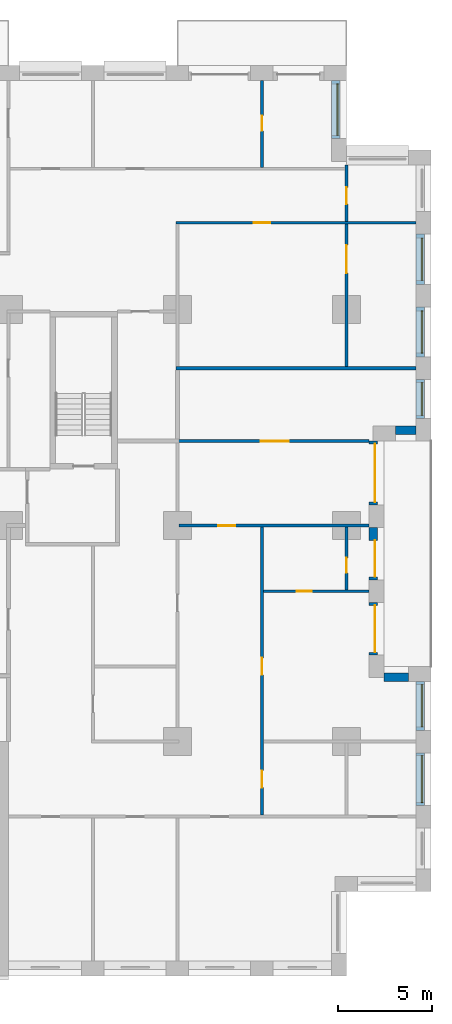
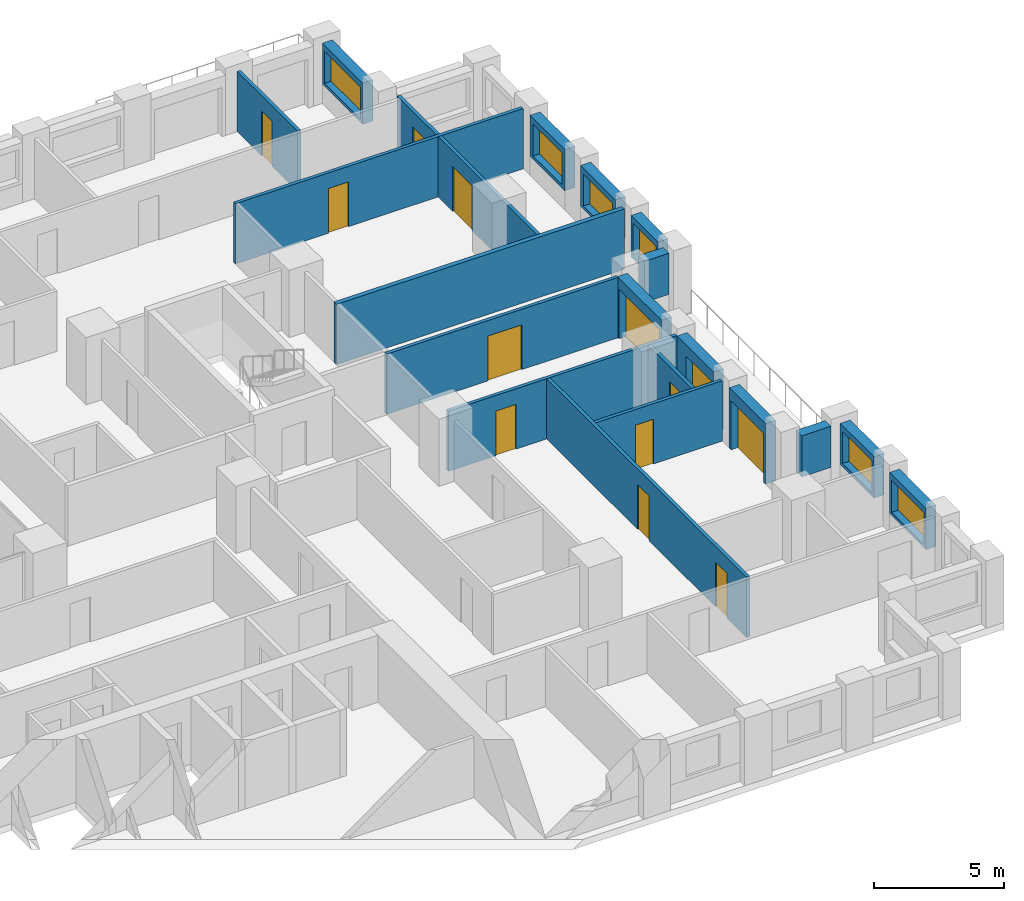
# One storey, part 17 of 20: 21 walls, 13 doors, 6 windows, 19 openings.
"""IFC4 building model written with IfcOpenShell, lengths in metres."""

from ifc_helpers import new_model, si_unit, direction, frame, frame_2d, origin, place, context, subcontext, project, spatial, rectangle, extrude, material, layer, layer_set, type_object, element, fill, save


model = new_model("IFC4")

# Units and contexts
model_context = context("Model", 3, precision=1e-05, world=origin(), true_north=direction((0.0, 1.0)))
body_context = subcontext(model_context, "Body", "Model", "MODEL_VIEW")
ifc_project = project(units=[si_unit("LENGTHUNIT", "METRE"), si_unit("AREAUNIT", "SQUARE_METRE"), si_unit("VOLUMEUNIT", "CUBIC_METRE"), si_unit("PLANEANGLEUNIT", "RADIAN"), si_unit("MASSUNIT", "GRAM", prefix="KILO")], contexts=[model_context])

# Site, building, storey
site_placement = place(None, origin())
site = spatial("IfcSite", under=ifc_project, at=site_placement, CompositionType="ELEMENT")
building_placement = place(site_placement, origin())
building = spatial("IfcBuilding", under=site, at=building_placement, Name="Brigalow Station Residences", CompositionType="ELEMENT")
storey_placement = place(building_placement, frame((0.0, 0.0, 54.14990234375)))
storey = spatial("IfcBuildingStorey", under=building, at=storey_placement, Name="L15", CompositionType="ELEMENT", Elevation=54.14990234375)

# Wall, opening, window
ifc_material_1 = material(Name="Clay brick masonry", Category="masonry")
ifc_layer_1 = layer(ifc_material_1, 0.449951171875)
ifc_layer_set_1 = layer_set([ifc_layer_1], Name="BRICK INFILL WALL 450")
wall_type_1 = type_object("IfcWallType", Name="BRICK INFILL WALL 450", PredefinedType="SOLIDWALL", material=ifc_layer_set_1)
wall_1_placement = place(storey_placement, frame((75.925048828125, 9.10009765625, 0.900146484375), z_axis=(0.0, 0.0, 1.0), x_axis=(0.0, 1.0, 0.0)))
wall_1 = element("IfcWall", 1, at=wall_1_placement, inside=storey, type_object=wall_type_1, Name="L15/ewall/W-L15-12", PredefinedType="SOLIDWALL", context=body_context, shape_type="SweptSolid", body=[
    extrude(rectangle(XDim=2.7998046875, YDim=0.449951171875, at=frame_2d((1.39990234375, 0.0))), origin(), (0.0, 0.0, 1.0), 1.929931640625),
])
opening_1_placement = place(wall_1_placement, frame((0.14990234375, 0.0, 0.14990234375)))
opening_1 = element("IfcOpeningElement", 2, at=opening_1_placement, cuts=wall_1, Name="Opening WT-5", PredefinedType="OPENING", context=body_context, shape_type="SweptSolid", body=[
    extrude(rectangle(XDim=2.5, YDim=1.5, at=frame_2d((1.25, 0.75))), frame((0.0, 0.23486328125, 0.0), z_axis=(0.0, -1.0, 0.0), x_axis=(1.0, 0.0, 0.0)), (0.0, 0.0, 1.0), 0.469970703125),
])
ifc_material_2 = material(Name="Anodised aluminium frame with double glazing", Category="aluminium")
window_type_1 = type_object("IfcWindowType", Name="WINDOW 2500x1500", PartitioningType="SINGLE_PANEL", PredefinedType="WINDOW", material=ifc_material_2)
window_1_placement = place(opening_1_placement, origin())
window_1 = element("IfcWindow", 3, at=window_1_placement, inside=storey, type_object=window_type_1, Name="L15/window/W-L15-12", OverallHeight=1.5, OverallWidth=2.5, PartitioningType="SINGLE_PANEL", PredefinedType="WINDOW", context=body_context, shape_type="SweptSolid", body=[
    extrude(rectangle(XDim=2.5, YDim=1.5, at=frame_2d((1.25, 0.75))), frame((0.0, -0.06494140625, 0.0), z_axis=(0.0, -1.0, 0.0), x_axis=(1.0, 0.0, 0.0)), (0.0, 0.0, 1.0), 0.06005859375),
])
fill(opening_1, window_1)

wall_2_placement = place(storey_placement, frame((75.925048828125, 13.10009765625, 0.900146484375), z_axis=(0.0, 0.0, 1.0), x_axis=(0.0, 1.0, 0.0)))
wall_2 = element("IfcWall", 4, at=wall_2_placement, inside=storey, type_object=wall_type_1, Name="L15/ewall/W-L15-13", PredefinedType="SOLIDWALL", context=body_context, shape_type="SweptSolid", body=[
    extrude(rectangle(XDim=2.599853515625, YDim=0.449951171875, at=frame_2d((1.2998046875, 0.0))), origin(), (0.0, 0.0, 1.0), 1.929931640625),
])
opening_2_placement = place(wall_2_placement, frame((0.175048828125, 0.0, 0.14990234375)))
opening_2 = element("IfcOpeningElement", 5, at=opening_2_placement, cuts=wall_2, Name="Opening WT-6", PredefinedType="OPENING", context=body_context, shape_type="SweptSolid", body=[
    extrude(rectangle(XDim=2.25, YDim=1.5, at=frame_2d((1.125, 0.75))), frame((0.0, 0.23486328125, 0.0), z_axis=(0.0, -1.0, 0.0), x_axis=(1.0, 0.0, 0.0)), (0.0, 0.0, 1.0), 0.469970703125),
])
ifc_material_3 = material(Name="Anodised aluminium frame with double glazing", Category="aluminium")
window_type_2 = type_object("IfcWindowType", Name="WINDOW 2250x1500", PartitioningType="SINGLE_PANEL", PredefinedType="WINDOW", material=ifc_material_3)
window_2_placement = place(opening_2_placement, origin())
window_2 = element("IfcWindow", 6, at=window_2_placement, inside=storey, type_object=window_type_2, Name="L15/window/W-L15-13", OverallHeight=1.5, OverallWidth=2.25, PartitioningType="SINGLE_PANEL", PredefinedType="WINDOW", context=body_context, shape_type="SweptSolid", body=[
    extrude(rectangle(XDim=2.25, YDim=1.5, at=frame_2d((1.125, 0.75))), frame((0.0, -0.06494140625, 0.0), z_axis=(0.0, -1.0, 0.0), x_axis=(1.0, 0.0, 0.0)), (0.0, 0.0, 1.0), 0.06005859375),
])
fill(opening_2, window_2)

# Wall
wall_3_placement = place(storey_placement, frame((75.300048828125, 15.925048828125, 0.900146484375), z_axis=(0.0, 0.0, 1.0), x_axis=(-1.0, 0.0, 0.0)))
element("IfcWall", 7, at=wall_3_placement, inside=storey, type_object=wall_type_1, Name="L15/ewall/W-L15-14", PredefinedType="SOLIDWALL", context=body_context, shape_type="SweptSolid", body=[
    extrude(rectangle(XDim=1.300048828125, YDim=0.449951171875, at=frame_2d((0.64990234375, 0.0))), origin(), (0.0, 0.0, 1.0), 1.929931640625),
])

# Wall, opening, door
wall_4_placement = place(storey_placement, frame((73.425048828125, 17.10009765625, 0.0), z_axis=(0.0, 0.0, 1.0), x_axis=(0.0, 1.0, 0.0)))
wall_4 = element("IfcWall", 8, at=wall_4_placement, inside=storey, type_object=wall_type_1, Name="L15/ewall/W-L15-15", PredefinedType="SOLIDWALL", context=body_context, shape_type="SweptSolid", body=[
    extrude(rectangle(XDim=2.7998046875, YDim=0.449951171875, at=frame_2d((1.39990234375, 0.0))), origin(), (0.0, 0.0, 1.0), 2.830078125),
])
opening_3_placement = place(wall_4_placement, frame((0.14990234375, 0.0, 0.0)))
opening_3 = element("IfcOpeningElement", 9, at=opening_3_placement, cuts=wall_4, Name="Opening D-B2500", PredefinedType="OPENING", context=body_context, shape_type="SweptSolid", body=[
    extrude(rectangle(XDim=2.5, YDim=2.300048828125, at=frame_2d((1.25, 1.14990234375))), frame((0.0, 0.23486328125, 0.0), z_axis=(0.0, -1.0, 0.0), x_axis=(1.0, 0.0, 0.0)), (0.0, 0.0, 1.0), 0.469970703125),
])
ifc_material_4 = material(Name="Anodised aluminium frame with double glazing", Category="aluminium")
door_type_1 = type_object("IfcDoorType", Name="BALCONY SLIDING DOOR 2500x2300", OperationType="SLIDING_TO_LEFT", PredefinedType="DOOR", material=ifc_material_4)
door_1_placement = place(opening_3_placement, origin())
door_1 = element("IfcDoor", 10, at=door_1_placement, inside=storey, type_object=door_type_1, Name="L15/balcony-door/W-L15-15", OperationType="SLIDING_TO_LEFT", OverallHeight=2.300048828125, OverallWidth=2.5, PredefinedType="DOOR", context=body_context, shape_type="SweptSolid", body=[
    extrude(rectangle(XDim=2.5, YDim=2.300048828125, at=frame_2d((1.25, 1.14990234375))), frame((0.0, -0.06982421875, 0.0), z_axis=(0.0, -1.0, 0.0), x_axis=(1.0, 0.0, 0.0)), (0.0, 0.0, 1.0), 0.050048828125),
])
fill(opening_3, door_1)

wall_5_placement = place(storey_placement, frame((73.425048828125, 21.10009765625, 0.0), z_axis=(0.0, 0.0, 1.0), x_axis=(0.0, 1.0, 0.0)))
wall_5 = element("IfcWall", 11, at=wall_5_placement, inside=storey, type_object=wall_type_1, Name="L15/ewall/W-L15-16", PredefinedType="SOLIDWALL", context=body_context, shape_type="SweptSolid", body=[
    extrude(rectangle(XDim=2.7998046875, YDim=0.449951171875, at=frame_2d((1.39990234375, 0.0))), origin(), (0.0, 0.0, 1.0), 2.830078125),
])
opening_4_placement = place(wall_5_placement, frame((0.1650390625, 0.0, 0.0)))
opening_4 = element("IfcOpeningElement", 12, at=opening_4_placement, cuts=wall_5, Name="Opening D-B1950", PredefinedType="OPENING", context=body_context, shape_type="SweptSolid", body=[
    extrude(rectangle(XDim=1.949951171875, YDim=2.300048828125, at=frame_2d((0.97509765625, 1.14990234375))), frame((0.0, 0.23486328125, 0.0), z_axis=(0.0, -1.0, 0.0), x_axis=(1.0, 0.0, 0.0)), (0.0, 0.0, 1.0), 0.469970703125),
])
ifc_material_5 = material(Name="Anodised aluminium frame with double glazing", Category="aluminium")
door_type_2 = type_object("IfcDoorType", Name="BALCONY SLIDING DOOR 1950x2300", OperationType="SLIDING_TO_LEFT", PredefinedType="DOOR", material=ifc_material_5)
door_2_placement = place(opening_4_placement, origin())
door_2 = element("IfcDoor", 13, at=door_2_placement, inside=storey, type_object=door_type_2, Name="L15/balcony-door/W-L15-16", OperationType="SLIDING_TO_LEFT", OverallHeight=2.300048828125, OverallWidth=1.949951171875, PredefinedType="DOOR", context=body_context, shape_type="SweptSolid", body=[
    extrude(rectangle(XDim=1.949951171875, YDim=2.300048828125, at=frame_2d((0.97509765625, 1.14990234375))), frame((0.0, -0.06982421875, 0.0), z_axis=(0.0, -1.0, 0.0), x_axis=(1.0, 0.0, 0.0)), (0.0, 0.0, 1.0), 0.050048828125),
])
fill(opening_4, door_2)

wall_6_placement = place(storey_placement, frame((73.425048828125, 25.10009765625, 0.0), z_axis=(0.0, 0.0, 1.0), x_axis=(0.0, 1.0, 0.0)))
wall_6 = element("IfcWall", 14, at=wall_6_placement, inside=storey, type_object=wall_type_1, Name="L15/ewall/W-L15-17", PredefinedType="SOLIDWALL", context=body_context, shape_type="SweptSolid", body=[
    extrude(rectangle(XDim=3.39990234375, YDim=0.449951171875, at=frame_2d((1.699951171875, 0.0))), origin(), (0.0, 0.0, 1.0), 2.830078125),
])
opening_5_placement = place(wall_6_placement, frame((0.14990234375, 0.0, 0.0)))
opening_5 = element("IfcOpeningElement", 15, at=opening_5_placement, cuts=wall_6, Name="Opening D-B3100", PredefinedType="OPENING", context=body_context, shape_type="SweptSolid", body=[
    extrude(rectangle(XDim=3.10009765625, YDim=2.300048828125, at=frame_2d((1.550048828125, 1.14990234375))), frame((0.0, 0.23486328125, 0.0), z_axis=(0.0, -1.0, 0.0), x_axis=(1.0, 0.0, 0.0)), (0.0, 0.0, 1.0), 0.469970703125),
])
ifc_material_6 = material(Name="Anodised aluminium frame with double glazing", Category="aluminium")
door_type_3 = type_object("IfcDoorType", Name="BALCONY SLIDING DOOR 3100x2300", OperationType="SLIDING_TO_LEFT", PredefinedType="DOOR", material=ifc_material_6)
door_3_placement = place(opening_5_placement, origin())
door_3 = element("IfcDoor", 16, at=door_3_placement, inside=storey, type_object=door_type_3, Name="L15/balcony-door/W-L15-17", OperationType="SLIDING_TO_LEFT", OverallHeight=2.300048828125, OverallWidth=3.10009765625, PredefinedType="DOOR", context=body_context, shape_type="SweptSolid", body=[
    extrude(rectangle(XDim=3.10009765625, YDim=2.300048828125, at=frame_2d((1.550048828125, 1.14990234375))), frame((0.0, -0.06982421875, 0.0), z_axis=(0.0, -1.0, 0.0), x_axis=(1.0, 0.0, 0.0)), (0.0, 0.0, 1.0), 0.050048828125),
])
fill(opening_5, door_3)

# Wall
wall_7_placement = place(storey_placement, frame((74.60009765625, 29.074951171875, 0.900146484375), z_axis=(0.0, 0.0, 1.0), x_axis=(1.0, 0.0, 0.0)))
element("IfcWall", 17, at=wall_7_placement, inside=storey, type_object=wall_type_1, Name="L15/ewall/W-L15-18", PredefinedType="SOLIDWALL", context=body_context, shape_type="SweptSolid", body=[
    extrude(rectangle(XDim=1.099853515625, YDim=0.449951171875, at=frame_2d((0.5498046875, 0.0))), origin(), (0.0, 0.0, 1.0), 1.929931640625),
])

# Wall, opening, window
wall_8_placement = place(storey_placement, frame((75.925048828125, 29.699951171875, 0.900146484375), z_axis=(0.0, 0.0, 1.0), x_axis=(0.0, 1.0, 0.0)))
wall_8 = element("IfcWall", 18, at=wall_8_placement, inside=storey, type_object=wall_type_1, Name="L15/ewall/W-L15-19", PredefinedType="SOLIDWALL", context=body_context, shape_type="SweptSolid", body=[
    extrude(rectangle(XDim=2.074951171875, YDim=0.449951171875, at=frame_2d((1.03759765625, 0.0))), origin(), (0.0, 0.0, 1.0), 1.929931640625),
])
opening_6_placement = place(wall_8_placement, frame((0.16259765625, 0.0, 0.14990234375)))
opening_6 = element("IfcOpeningElement", 19, at=opening_6_placement, cuts=wall_8, Name="Opening WT-4", PredefinedType="OPENING", context=body_context, shape_type="SweptSolid", body=[
    extrude(rectangle(XDim=1.75, YDim=1.5, at=frame_2d((0.875, 0.75))), frame((0.0, 0.23486328125, 0.0), z_axis=(0.0, -1.0, 0.0), x_axis=(1.0, 0.0, 0.0)), (0.0, 0.0, 1.0), 0.469970703125),
])
ifc_material_7 = material(Name="Anodised aluminium frame with double glazing", Category="aluminium")
window_type_3 = type_object("IfcWindowType", Name="WINDOW 1750x1500", PartitioningType="SINGLE_PANEL", PredefinedType="WINDOW", material=ifc_material_7)
window_3_placement = place(opening_6_placement, origin())
window_3 = element("IfcWindow", 20, at=window_3_placement, inside=storey, type_object=window_type_3, Name="L15/window/W-L15-19", OverallHeight=1.5, OverallWidth=1.75, PartitioningType="SINGLE_PANEL", PredefinedType="WINDOW", context=body_context, shape_type="SweptSolid", body=[
    extrude(rectangle(XDim=1.75, YDim=1.5, at=frame_2d((0.875, 0.75))), frame((0.0, -0.06494140625, 0.0), z_axis=(0.0, -1.0, 0.0), x_axis=(1.0, 0.0, 0.0)), (0.0, 0.0, 1.0), 0.06005859375),
])
fill(opening_6, window_3)

wall_9_placement = place(storey_placement, frame((75.925048828125, 32.97509765625, 0.900146484375), z_axis=(0.0, 0.0, 1.0), x_axis=(0.0, 1.0, 0.0)))
wall_9 = element("IfcWall", 21, at=wall_9_placement, inside=storey, type_object=wall_type_1, Name="L15/ewall/W-L15-20", PredefinedType="SOLIDWALL", context=body_context, shape_type="SweptSolid", body=[
    extrude(rectangle(XDim=2.6748046875, YDim=0.449951171875, at=frame_2d((1.33740234375, 0.0))), origin(), (0.0, 0.0, 1.0), 1.929931640625),
])
opening_7_placement = place(wall_9_placement, frame((0.21240234375, 0.0, 0.14990234375)))
opening_7 = element("IfcOpeningElement", 22, at=opening_7_placement, cuts=wall_9, Name="Opening WT-6", PredefinedType="OPENING", context=body_context, shape_type="SweptSolid", body=[
    extrude(rectangle(XDim=2.25, YDim=1.5, at=frame_2d((1.125, 0.75))), frame((0.0, 0.23486328125, 0.0), z_axis=(0.0, -1.0, 0.0), x_axis=(1.0, 0.0, 0.0)), (0.0, 0.0, 1.0), 0.469970703125),
])
window_4_placement = place(opening_7_placement, origin())
window_4 = element("IfcWindow", 23, at=window_4_placement, inside=storey, type_object=window_type_2, Name="L15/window/W-L15-20", OverallHeight=1.5, OverallWidth=2.25, PartitioningType="SINGLE_PANEL", PredefinedType="WINDOW", context=body_context, shape_type="SweptSolid", body=[
    extrude(rectangle(XDim=2.25, YDim=1.5, at=frame_2d((1.125, 0.75))), frame((0.0, -0.06494140625, 0.0), z_axis=(0.0, -1.0, 0.0), x_axis=(1.0, 0.0, 0.0)), (0.0, 0.0, 1.0), 0.06005859375),
])
fill(opening_7, window_4)

wall_10_placement = place(storey_placement, frame((75.925048828125, 36.85009765625, 0.900146484375), z_axis=(0.0, 0.0, 1.0), x_axis=(0.0, 1.0, 0.0)))
wall_10 = element("IfcWall", 24, at=wall_10_placement, inside=storey, type_object=wall_type_1, Name="L15/ewall/W-L15-21", PredefinedType="SOLIDWALL", context=body_context, shape_type="SweptSolid", body=[
    extrude(rectangle(XDim=2.6748046875, YDim=0.449951171875, at=frame_2d((1.33740234375, 0.0))), origin(), (0.0, 0.0, 1.0), 1.929931640625),
])
opening_8_placement = place(wall_10_placement, frame((0.21240234375, 0.0, 0.14990234375)))
opening_8 = element("IfcOpeningElement", 25, at=opening_8_placement, cuts=wall_10, Name="Opening WT-6", PredefinedType="OPENING", context=body_context, shape_type="SweptSolid", body=[
    extrude(rectangle(XDim=2.25, YDim=1.5, at=frame_2d((1.125, 0.75))), frame((0.0, 0.23486328125, 0.0), z_axis=(0.0, -1.0, 0.0), x_axis=(1.0, 0.0, 0.0)), (0.0, 0.0, 1.0), 0.469970703125),
])
window_5_placement = place(opening_8_placement, origin())
window_5 = element("IfcWindow", 26, at=window_5_placement, inside=storey, type_object=window_type_2, Name="L15/window/W-L15-21", OverallHeight=1.5, OverallWidth=2.25, PartitioningType="SINGLE_PANEL", PredefinedType="WINDOW", context=body_context, shape_type="SweptSolid", body=[
    extrude(rectangle(XDim=2.25, YDim=1.5, at=frame_2d((1.125, 0.75))), frame((0.0, -0.06494140625, 0.0), z_axis=(0.0, -1.0, 0.0), x_axis=(1.0, 0.0, 0.0)), (0.0, 0.0, 1.0), 0.06005859375),
])
fill(opening_8, window_5)

wall_11_placement = place(storey_placement, frame((71.425048828125, 44.60009765625, 0.900146484375), z_axis=(0.0, 0.0, 1.0), x_axis=(0.0, 1.0, 0.0)))
wall_11 = element("IfcWall", 27, at=wall_11_placement, inside=storey, type_object=wall_type_1, Name="L15/ewall/W-L15-24", PredefinedType="SOLIDWALL", context=body_context, shape_type="SweptSolid", body=[
    extrude(rectangle(XDim=3.099853515625, YDim=0.449951171875, at=frame_2d((1.5498046875, 0.0))), origin(), (0.0, 0.0, 1.0), 1.929931640625),
])
opening_9_placement = place(wall_11_placement, frame((0.175048828125, 0.0, 0.14990234375)))
opening_9 = element("IfcOpeningElement", 28, at=opening_9_placement, cuts=wall_11, Name="Opening WT-3", PredefinedType="OPENING", context=body_context, shape_type="SweptSolid", body=[
    extrude(rectangle(XDim=2.75, YDim=1.5, at=frame_2d((1.375, 0.75))), frame((0.0, 0.23486328125, 0.0), z_axis=(0.0, -1.0, 0.0), x_axis=(1.0, 0.0, 0.0)), (0.0, 0.0, 1.0), 0.469970703125),
])
ifc_material_8 = material(Name="Anodised aluminium frame with double glazing", Category="aluminium")
window_type_4 = type_object("IfcWindowType", Name="WINDOW 2750x1500", PartitioningType="SINGLE_PANEL", PredefinedType="WINDOW", material=ifc_material_8)
window_6_placement = place(opening_9_placement, origin())
window_6 = element("IfcWindow", 29, at=window_6_placement, inside=storey, type_object=window_type_4, Name="L15/window/W-L15-24", OverallHeight=1.5, OverallWidth=2.75, PartitioningType="SINGLE_PANEL", PredefinedType="WINDOW", context=body_context, shape_type="SweptSolid", body=[
    extrude(rectangle(XDim=2.75, YDim=1.5, at=frame_2d((1.375, 0.75))), frame((0.0, -0.06494140625, 0.0), z_axis=(0.0, -1.0, 0.0), x_axis=(1.0, 0.0, 0.0)), (0.0, 0.0, 1.0), 0.06005859375),
])
fill(opening_9, window_6)

# Wall, opening, door
ifc_material_9 = material(Name="Plasterboard on steel stud partition", Category="steel")
ifc_layer_2 = layer(ifc_material_9, 0.14990234375)
ifc_layer_set_2 = layer_set([ifc_layer_2], Name="FLAT PARTITION 150")
wall_type_2 = type_object("IfcWallType", Name="FLAT PARTITION 150", PredefinedType="PARTITIONING", material=ifc_layer_set_2)
wall_12_placement = place(storey_placement, frame((63.074951171875, 24.0, 0.0), z_axis=(0.0, 0.0, 1.0), x_axis=(1.0, 0.0, 0.0)))
wall_12 = element("IfcWall", 30, at=wall_12_placement, inside=storey, type_object=wall_type_2, Name="PW-1E03", PredefinedType="PARTITIONING", context=body_context, shape_type="SweptSolid", body=[
    extrude(rectangle(XDim=10.125, YDim=0.14990234375, at=frame_2d((5.0625, 0.0))), origin(), (0.0, 0.0, 1.0), 2.830078125),
])
opening_10_placement = place(wall_12_placement, frame((2.10009765625, 0.0, 0.0)))
opening_10 = element("IfcOpeningElement", 31, at=opening_10_placement, cuts=wall_12, Name="Opening D-1E54", PredefinedType="OPENING", context=body_context, shape_type="SweptSolid", body=[
    extrude(rectangle(XDim=0.89990234375, YDim=2.10009765625, at=frame_2d((0.449951171875, 1.050048828125))), frame((0.0, 0.0849609375, 0.0), z_axis=(0.0, -1.0, 0.0), x_axis=(1.0, 0.0, 0.0)), (0.0, 0.0, 1.0), 0.169921875),
])
ifc_material_10 = material(Name="Solid-core timber door leaf", Category="wood")
door_type_4 = type_object("IfcDoorType", Name="INTERNAL DOOR 900 x 2100", OperationType="SINGLE_SWING_LEFT", PredefinedType="DOOR", material=ifc_material_10)
door_4_placement = place(opening_10_placement, origin())
door_4 = element("IfcDoor", 32, at=door_4_placement, inside=storey, type_object=door_type_4, Name="D-1E54", OperationType="SINGLE_SWING_LEFT", OverallHeight=2.10009765625, OverallWidth=0.89990234375, PredefinedType="DOOR", context=body_context, shape_type="SweptSolid", body=[
    extrude(rectangle(XDim=0.89990234375, YDim=2.10009765625, at=frame_2d((0.449951171875, 1.050048828125))), frame((0.0, 0.02490234375, 0.0), z_axis=(0.0, -1.0, 0.0), x_axis=(1.0, 0.0, 0.0)), (0.0, 0.0, 1.0), 0.050048828125),
])
fill(opening_10, door_4)

wall_13_placement = place(storey_placement, frame((67.574951171875, 20.5, 0.0), z_axis=(0.0, 0.0, 1.0), x_axis=(1.0, 0.0, 0.0)))
wall_13 = element("IfcWall", 33, at=wall_13_placement, inside=storey, type_object=wall_type_2, Name="PW-1E17", PredefinedType="PARTITIONING", context=body_context, shape_type="SweptSolid", body=[
    extrude(rectangle(XDim=5.625, YDim=0.14990234375, at=frame_2d((2.8125, 0.0))), origin(), (0.0, 0.0, 1.0), 2.830078125),
])
opening_11_placement = place(wall_13_placement, frame((1.77490234375, 0.0, 0.0)))
opening_11 = element("IfcOpeningElement", 34, at=opening_11_placement, cuts=wall_13, Name="Opening D-1E55", PredefinedType="OPENING", context=body_context, shape_type="SweptSolid", body=[
    extrude(rectangle(XDim=0.800048828125, YDim=2.10009765625, at=frame_2d((0.39990234375, 1.050048828125))), frame((0.0, 0.0849609375, 0.0), z_axis=(0.0, -1.0, 0.0), x_axis=(1.0, 0.0, 0.0)), (0.0, 0.0, 1.0), 0.169921875),
])
ifc_material_11 = material(Name="Solid-core timber door leaf", Category="wood")
door_type_5 = type_object("IfcDoorType", Name="INTERNAL DOOR 800 x 2100", OperationType="SINGLE_SWING_LEFT", PredefinedType="DOOR", material=ifc_material_11)
door_5_placement = place(opening_11_placement, origin())
door_5 = element("IfcDoor", 35, at=door_5_placement, inside=storey, type_object=door_type_5, Name="D-1E55", OperationType="SINGLE_SWING_RIGHT", OverallHeight=2.10009765625, OverallWidth=0.800048828125, PredefinedType="DOOR", context=body_context, shape_type="SweptSolid", body=[
    extrude(rectangle(XDim=0.800048828125, YDim=2.10009765625, at=frame_2d((0.39990234375, 1.050048828125))), frame((0.0, 0.02490234375, 0.0), z_axis=(0.0, -1.0, 0.0), x_axis=(1.0, 0.0, 0.0)), (0.0, 0.0, 1.0), 0.050048828125),
])
fill(opening_11, door_5)

wall_14_placement = place(storey_placement, frame((62.925048828125, 28.5, 0.0), z_axis=(0.0, 0.0, 1.0), x_axis=(1.0, 0.0, 0.0)))
wall_14 = element("IfcWall", 36, at=wall_14_placement, inside=storey, type_object=wall_type_2, Name="PW-1E23", PredefinedType="PARTITIONING", context=body_context, shape_type="SweptSolid", body=[
    extrude(rectangle(XDim=10.27490234375, YDim=0.14990234375, at=frame_2d((5.137451171875, 0.0))), origin(), (0.0, 0.0, 1.0), 2.830078125),
])
opening_12_placement = place(wall_14_placement, frame((4.5, 0.0, 0.0)))
opening_12 = element("IfcOpeningElement", 37, at=opening_12_placement, cuts=wall_14, Name="Opening D-1E53", PredefinedType="OPENING", context=body_context, shape_type="SweptSolid", body=[
    extrude(rectangle(XDim=1.5, YDim=2.10009765625, at=frame_2d((0.75, 1.050048828125))), frame((0.0, 0.0849609375, 0.0), z_axis=(0.0, -1.0, 0.0), x_axis=(1.0, 0.0, 0.0)), (0.0, 0.0, 1.0), 0.169921875),
])
ifc_material_12 = material(Name="Solid-core timber door leaf", Category="wood")
door_type_6 = type_object("IfcDoorType", Name="INTERNAL DOUBLE DOOR 1500 x 2100", OperationType="DOUBLE_DOOR_SINGLE_SWING", PredefinedType="DOOR", material=ifc_material_12)
door_6_placement = place(opening_12_placement, frame((1.5, 0.0, 0.0), z_axis=(0.0, 0.0, 1.0), x_axis=(-1.0, 0.0, 0.0)))
door_6 = element("IfcDoor", 38, at=door_6_placement, inside=storey, type_object=door_type_6, Name="D-1E53", OperationType="DOUBLE_DOOR_SINGLE_SWING", OverallHeight=2.10009765625, OverallWidth=1.5, PredefinedType="DOOR", context=body_context, shape_type="SweptSolid", body=[
    extrude(rectangle(XDim=1.5, YDim=2.10009765625, at=frame_2d((0.75, 1.050048828125))), frame((0.0, 0.02490234375, 0.0), z_axis=(0.0, -1.0, 0.0), x_axis=(1.0, 0.0, 0.0)), (0.0, 0.0, 1.0), 0.050048828125),
])
fill(opening_12, door_6)

wall_15_placement = place(storey_placement, frame((62.925048828125, 40.125, 0.0), z_axis=(0.0, 0.0, 1.0), x_axis=(1.0, 0.0, 0.0)))
wall_15 = element("IfcWall", 39, at=wall_15_placement, inside=storey, type_object=wall_type_2, Name="PW-1E25", PredefinedType="PARTITIONING", context=body_context, shape_type="SweptSolid", body=[
    extrude(rectangle(XDim=12.77490234375, YDim=0.14990234375, at=frame_2d((6.387451171875, 0.0))), origin(), (0.0, 0.0, 1.0), 2.830078125),
])
opening_13_placement = place(wall_15_placement, frame((4.125, 0.0, 0.0)))
opening_13 = element("IfcOpeningElement", 40, at=opening_13_placement, cuts=wall_15, Name="Opening D-1E41", PredefinedType="OPENING", context=body_context, shape_type="SweptSolid", body=[
    extrude(rectangle(XDim=0.89990234375, YDim=2.10009765625, at=frame_2d((0.449951171875, 1.050048828125))), frame((0.0, 0.0849609375, 0.0), z_axis=(0.0, -1.0, 0.0), x_axis=(1.0, 0.0, 0.0)), (0.0, 0.0, 1.0), 0.169921875),
])
door_7_placement = place(opening_13_placement, frame((0.89990234375, 0.0, 0.0), z_axis=(0.0, 0.0, 1.0), x_axis=(-1.0, 0.0, 0.0)))
door_7 = element("IfcDoor", 41, at=door_7_placement, inside=storey, type_object=door_type_4, Name="D-1E41", OperationType="SINGLE_SWING_RIGHT", OverallHeight=2.10009765625, OverallWidth=0.89990234375, PredefinedType="DOOR", context=body_context, shape_type="SweptSolid", body=[
    extrude(rectangle(XDim=0.89990234375, YDim=2.10009765625, at=frame_2d((0.449951171875, 1.050048828125))), frame((0.0, 0.02490234375, 0.0), z_axis=(0.0, -1.0, 0.0), x_axis=(1.0, 0.0, 0.0)), (0.0, 0.0, 1.0), 0.050048828125),
])
fill(opening_13, door_7)

wall_16_placement = place(storey_placement, frame((72.0, 20.574951171875, 0.0), z_axis=(0.0, 0.0, 1.0), x_axis=(0.0, 1.0, 0.0)))
wall_16 = element("IfcWall", 42, at=wall_16_placement, inside=storey, type_object=wall_type_2, Name="PW-1E73", PredefinedType="PARTITIONING", context=body_context, shape_type="SweptSolid", body=[
    extrude(rectangle(XDim=3.35009765625, YDim=0.14990234375, at=frame_2d((1.675048828125, 0.0))), origin(), (0.0, 0.0, 1.0), 2.830078125),
])
opening_14_placement = place(wall_16_placement, frame((0.89990234375, 0.0, 0.0)))
opening_14 = element("IfcOpeningElement", 43, at=opening_14_placement, cuts=wall_16, Name="Opening D-1E56", PredefinedType="OPENING", context=body_context, shape_type="SweptSolid", body=[
    extrude(rectangle(XDim=0.800048828125, YDim=2.10009765625, at=frame_2d((0.39990234375, 1.050048828125))), frame((0.0, 0.0849609375, 0.0), z_axis=(0.0, -1.0, 0.0), x_axis=(1.0, 0.0, 0.0)), (0.0, 0.0, 1.0), 0.169921875),
])
door_8_placement = place(opening_14_placement, frame((0.800048828125, 0.0, 0.0), z_axis=(0.0, 0.0, 1.0), x_axis=(-1.0, 0.0, 0.0)))
door_8 = element("IfcDoor", 44, at=door_8_placement, inside=storey, type_object=door_type_5, Name="D-1E56", OperationType="SINGLE_SWING_RIGHT", OverallHeight=2.10009765625, OverallWidth=0.800048828125, PredefinedType="DOOR", context=body_context, shape_type="SweptSolid", body=[
    extrude(rectangle(XDim=0.800048828125, YDim=2.10009765625, at=frame_2d((0.39990234375, 1.050048828125))), frame((0.0, 0.02490234375, 0.0), z_axis=(0.0, -1.0, 0.0), x_axis=(1.0, 0.0, 0.0)), (0.0, 0.0, 1.0), 0.050048828125),
])
fill(opening_14, door_8)

wall_17_placement = place(storey_placement, frame((72.0, 32.47509765625, 0.0), z_axis=(0.0, 0.0, 1.0), x_axis=(0.0, 1.0, 0.0)))
wall_17 = element("IfcWall", 45, at=wall_17_placement, inside=storey, type_object=wall_type_2, Name="PW-1E74", PredefinedType="PARTITIONING", context=body_context, shape_type="SweptSolid", body=[
    extrude(rectangle(XDim=7.574951171875, YDim=0.14990234375, at=frame_2d((3.78759765625, 0.0))), origin(), (0.0, 0.0, 1.0), 2.830078125),
])
opening_15_placement = place(wall_17_placement, frame((4.962890625, 0.0, 0.0)))
opening_15 = element("IfcOpeningElement", 46, at=opening_15_placement, cuts=wall_17, Name="Opening D-1E49", PredefinedType="OPENING", context=body_context, shape_type="SweptSolid", body=[
    extrude(rectangle(XDim=1.5, YDim=2.10009765625, at=frame_2d((0.75, 1.050048828125))), frame((0.0, 0.0849609375, 0.0), z_axis=(0.0, -1.0, 0.0), x_axis=(1.0, 0.0, 0.0)), (0.0, 0.0, 1.0), 0.169921875),
])
door_9_placement = place(opening_15_placement, frame((1.5, 0.0, 0.0), z_axis=(0.0, 0.0, 1.0), x_axis=(-1.0, 0.0, 0.0)))
door_9 = element("IfcDoor", 47, at=door_9_placement, inside=storey, type_object=door_type_6, Name="D-1E49", OperationType="DOUBLE_DOOR_SINGLE_SWING", OverallHeight=2.10009765625, OverallWidth=1.5, PredefinedType="DOOR", context=body_context, shape_type="SweptSolid", body=[
    extrude(rectangle(XDim=1.5, YDim=2.10009765625, at=frame_2d((0.75, 1.050048828125))), frame((0.0, 0.02490234375, 0.0), z_axis=(0.0, -1.0, 0.0), x_axis=(1.0, 0.0, 0.0)), (0.0, 0.0, 1.0), 0.050048828125),
])
fill(opening_15, door_9)

wall_18_placement = place(storey_placement, frame((72.0, 40.199951171875, 0.0), z_axis=(0.0, 0.0, 1.0), x_axis=(0.0, 1.0, 0.0)))
wall_18 = element("IfcWall", 48, at=wall_18_placement, inside=storey, type_object=wall_type_2, Name="PW-1E75", PredefinedType="PARTITIONING", context=body_context, shape_type="SweptSolid", body=[
    extrude(rectangle(XDim=3.0, YDim=0.14990234375, at=frame_2d((1.5, 0.0))), origin(), (0.0, 0.0, 1.0), 2.830078125),
])
opening_16_placement = place(wall_18_placement, frame((0.912109375, 0.0, 0.0)))
opening_16 = element("IfcOpeningElement", 49, at=opening_16_placement, cuts=wall_18, Name="Opening D-1E42", PredefinedType="OPENING", context=body_context, shape_type="SweptSolid", body=[
    extrude(rectangle(XDim=0.89990234375, YDim=2.10009765625, at=frame_2d((0.449951171875, 1.050048828125))), frame((0.0, 0.0849609375, 0.0), z_axis=(0.0, -1.0, 0.0), x_axis=(1.0, 0.0, 0.0)), (0.0, 0.0, 1.0), 0.169921875),
])
door_10_placement = place(opening_16_placement, frame((0.89990234375, 0.0, 0.0), z_axis=(0.0, 0.0, 1.0), x_axis=(-1.0, 0.0, 0.0)))
door_10 = element("IfcDoor", 50, at=door_10_placement, inside=storey, type_object=door_type_4, Name="D-1E42", OperationType="SINGLE_SWING_RIGHT", OverallHeight=2.10009765625, OverallWidth=0.89990234375, PredefinedType="DOOR", context=body_context, shape_type="SweptSolid", body=[
    extrude(rectangle(XDim=0.89990234375, YDim=2.10009765625, at=frame_2d((0.449951171875, 1.050048828125))), frame((0.0, 0.02490234375, 0.0), z_axis=(0.0, -1.0, 0.0), x_axis=(1.0, 0.0, 0.0)), (0.0, 0.0, 1.0), 0.050048828125),
])
fill(opening_16, door_10)

# Wall, openings, doors
wall_19_placement = place(storey_placement, frame((67.5, 8.574951171875, 0.0), z_axis=(0.0, 0.0, 1.0), x_axis=(0.0, 1.0, 0.0)))
wall_19 = element("IfcWall", 51, at=wall_19_placement, inside=storey, type_object=wall_type_2, Name="PW-1E80", PredefinedType="PARTITIONING", context=body_context, shape_type="SweptSolid", body=[
    extrude(rectangle(XDim=15.35009765625, YDim=0.14990234375, at=frame_2d((7.675048828125, 0.0))), origin(), (0.0, 0.0, 1.0), 2.830078125),
])
opening_17_placement = place(wall_19_placement, frame((7.47509765625, 0.0, 0.0)))
opening_17 = element("IfcOpeningElement", 52, at=opening_17_placement, cuts=wall_19, Name="Opening D-1E59", PredefinedType="OPENING", context=body_context, shape_type="SweptSolid", body=[
    extrude(rectangle(XDim=0.89990234375, YDim=2.10009765625, at=frame_2d((0.449951171875, 1.050048828125))), frame((0.0, 0.0849609375, 0.0), z_axis=(0.0, -1.0, 0.0), x_axis=(1.0, 0.0, 0.0)), (0.0, 0.0, 1.0), 0.169921875),
])
opening_18_placement = place(wall_19_placement, frame((1.47509765625, 0.0, 0.0)))
opening_18 = element("IfcOpeningElement", 53, at=opening_18_placement, cuts=wall_19, Name="Opening D-1E60", PredefinedType="OPENING", context=body_context, shape_type="SweptSolid", body=[
    extrude(rectangle(XDim=0.89990234375, YDim=2.10009765625, at=frame_2d((0.449951171875, 1.050048828125))), frame((0.0, 0.0849609375, 0.0), z_axis=(0.0, -1.0, 0.0), x_axis=(1.0, 0.0, 0.0)), (0.0, 0.0, 1.0), 0.169921875),
])
door_11_placement = place(opening_17_placement, frame((0.89990234375, 0.0, 0.0), z_axis=(0.0, 0.0, 1.0), x_axis=(-1.0, 0.0, 0.0)))
door_11 = element("IfcDoor", 54, at=door_11_placement, inside=storey, type_object=door_type_4, Name="D-1E59", OperationType="SINGLE_SWING_RIGHT", OverallHeight=2.10009765625, OverallWidth=0.89990234375, PredefinedType="DOOR", context=body_context, shape_type="SweptSolid", body=[
    extrude(rectangle(XDim=0.89990234375, YDim=2.10009765625, at=frame_2d((0.449951171875, 1.050048828125))), frame((0.0, 0.02490234375, 0.0), z_axis=(0.0, -1.0, 0.0), x_axis=(1.0, 0.0, 0.0)), (0.0, 0.0, 1.0), 0.050048828125),
])
fill(opening_17, door_11)
door_12_placement = place(opening_18_placement, frame((0.89990234375, 0.0, 0.0), z_axis=(0.0, 0.0, 1.0), x_axis=(-1.0, 0.0, 0.0)))
door_12 = element("IfcDoor", 55, at=door_12_placement, inside=storey, type_object=door_type_4, Name="D-1E60", OperationType="SINGLE_SWING_LEFT", OverallHeight=2.10009765625, OverallWidth=0.89990234375, PredefinedType="DOOR", context=body_context, shape_type="SweptSolid", body=[
    extrude(rectangle(XDim=0.89990234375, YDim=2.10009765625, at=frame_2d((0.449951171875, 1.050048828125))), frame((0.0, 0.02490234375, 0.0), z_axis=(0.0, -1.0, 0.0), x_axis=(1.0, 0.0, 0.0)), (0.0, 0.0, 1.0), 0.050048828125),
])
fill(opening_18, door_12)

# Wall, opening, door
wall_20_placement = place(storey_placement, frame((67.5, 43.074951171875, 0.0), z_axis=(0.0, 0.0, 1.0), x_axis=(0.0, 1.0, 0.0)))
wall_20 = element("IfcWall", 56, at=wall_20_placement, inside=storey, type_object=wall_type_2, Name="PW-1E81", PredefinedType="PARTITIONING", context=body_context, shape_type="SweptSolid", body=[
    extrude(rectangle(XDim=4.625, YDim=0.14990234375, at=frame_2d((2.3125, 0.0))), origin(), (0.0, 0.0, 1.0), 2.830078125),
])
opening_19_placement = place(wall_20_placement, frame((1.949951171875, 0.0, 0.0)))
opening_19 = element("IfcOpeningElement", 57, at=opening_19_placement, cuts=wall_20, Name="Opening D-1E38", PredefinedType="OPENING", context=body_context, shape_type="SweptSolid", body=[
    extrude(rectangle(XDim=0.800048828125, YDim=2.10009765625, at=frame_2d((0.39990234375, 1.050048828125))), frame((0.0, 0.0849609375, 0.0), z_axis=(0.0, -1.0, 0.0), x_axis=(1.0, 0.0, 0.0)), (0.0, 0.0, 1.0), 0.169921875),
])
door_13_placement = place(opening_19_placement, frame((0.800048828125, 0.0, 0.0), z_axis=(0.0, 0.0, 1.0), x_axis=(-1.0, 0.0, 0.0)))
door_13 = element("IfcDoor", 58, at=door_13_placement, inside=storey, type_object=door_type_5, Name="D-1E38", OperationType="SINGLE_SWING_LEFT", OverallHeight=2.10009765625, OverallWidth=0.800048828125, PredefinedType="DOOR", context=body_context, shape_type="SweptSolid", body=[
    extrude(rectangle(XDim=0.800048828125, YDim=2.10009765625, at=frame_2d((0.39990234375, 1.050048828125))), frame((0.0, 0.02490234375, 0.0), z_axis=(0.0, -1.0, 0.0), x_axis=(1.0, 0.0, 0.0)), (0.0, 0.0, 1.0), 0.050048828125),
])
fill(opening_19, door_13)

# Wall
ifc_material_13 = material(Name="Plasterboard on steel stud partition", Category="steel")
ifc_layer_3 = layer(ifc_material_13, 0.199951171875)
ifc_layer_set_3 = layer_set([ifc_layer_3], Name="PARTY AND CORRIDOR WALL 200")
wall_type_3 = type_object("IfcWallType", Name="PARTY AND CORRIDOR WALL 200", PredefinedType="PARTITIONING", material=ifc_layer_set_3)
wall_21_placement = place(storey_placement, frame((62.925048828125, 32.375, 0.0), z_axis=(0.0, 0.0, 1.0), x_axis=(1.0, 0.0, 0.0)))
element("IfcWall", 59, at=wall_21_placement, inside=storey, type_object=wall_type_3, Name="PW-1E21", PredefinedType="PARTITIONING", context=body_context, shape_type="SweptSolid", body=[
    extrude(rectangle(XDim=12.77490234375, YDim=0.199951171875, at=frame_2d((6.387451171875, 0.0))), origin(), (0.0, 0.0, 1.0), 2.830078125),
])

save(model, "model.ifc")
